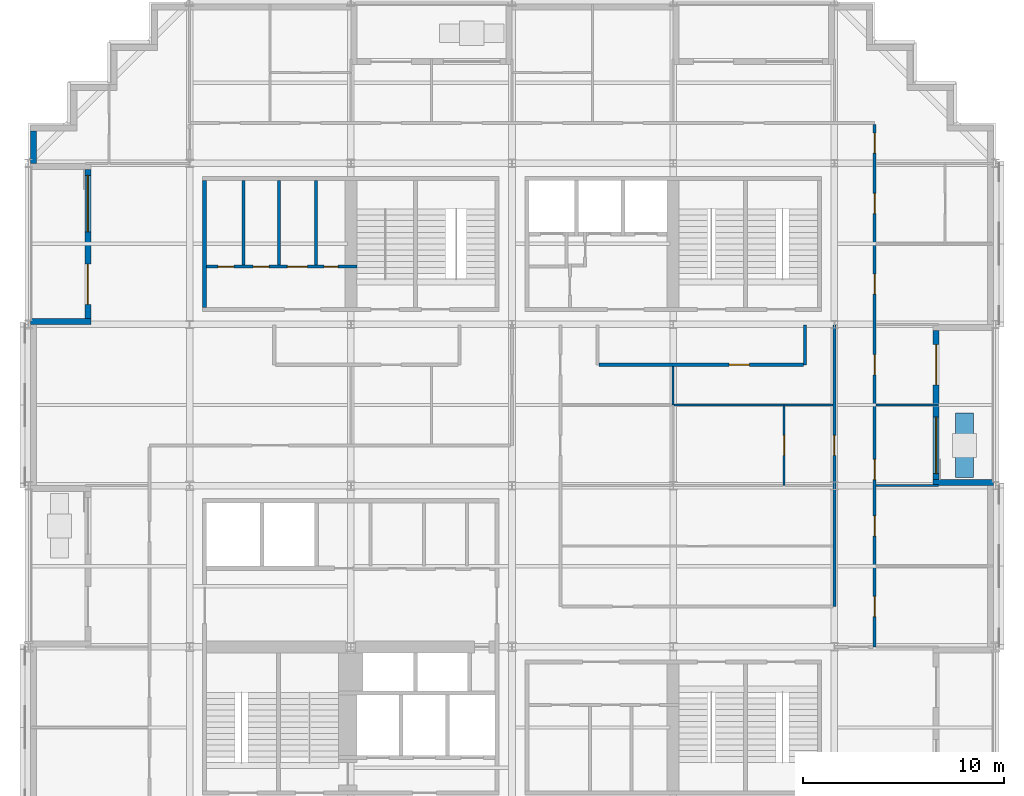
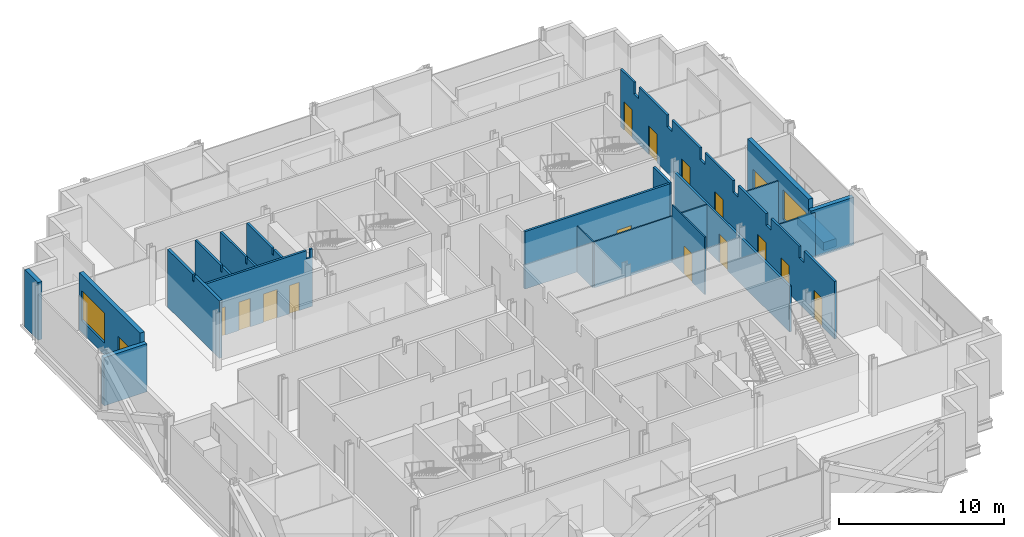
# One storey, part 8 of 15: 21 walls, 16 doors, 2 windows, 18 openings.
"""IFC4 building model written with IfcOpenShell, lengths in metres."""

from ifc_helpers import new_model, si_unit, direction, frame, frame_2d, origin, place, context, subcontext, project, spatial, polyline, rectangle, outline, extrude, material, layer, layer_set, type_object, element, fill, save


model = new_model("IFC4")

# Units and contexts
model_context = context("Model", 3, precision=1e-05, world=origin(), true_north=direction((0.0, 1.0)))
body_context = subcontext(model_context, "Body", "Model", "MODEL_VIEW")
ifc_project = project(units=[si_unit("LENGTHUNIT", "METRE"), si_unit("AREAUNIT", "SQUARE_METRE"), si_unit("VOLUMEUNIT", "CUBIC_METRE"), si_unit("PLANEANGLEUNIT", "RADIAN"), si_unit("MASSUNIT", "GRAM", prefix="KILO")], contexts=[model_context])

# Site, building, storey
site_placement = place(None, origin())
site = spatial("IfcSite", under=ifc_project, at=site_placement, CompositionType="ELEMENT")
building_placement = place(site_placement, origin())
building = spatial("IfcBuilding", under=site, at=building_placement, Name="Immortelle Media Tower", CompositionType="ELEMENT")
storey_placement = place(building_placement, frame((0.0, 0.0, 61.199951171875)))
storey = spatial("IfcBuildingStorey", under=building, at=storey_placement, Name="L10", CompositionType="ELEMENT", Elevation=61.199951171875)

# Wall, openings, doors
ifc_material_1 = material(Name="Fire-rated gypsum board", Category="gypsum")
ifc_layer_1 = layer(ifc_material_1, 0.02490234375)
ifc_material_2 = material(Name="Steel ASTM A653 SS Gr 50 stud frame with mineral wool", Category="steel")
ifc_layer_2 = layer(ifc_material_2, 0.10009765625)
ifc_layer_3 = layer(ifc_material_1, 0.02490234375)
ifc_layer_set_1 = layer_set([ifc_layer_1, ifc_layer_2, ifc_layer_3], Name="Steel ASTM A653 SS Gr 50 stud frame with mineral wool")
wall_type_1 = type_object("IfcWallType", Name="Core partition 150", PredefinedType="PARTITIONING", material=ifc_layer_set_1)
wall_1_placement = place(storey_placement, frame((8.85009765625, 34.875, 0.0), z_axis=(0.0, 0.0, 1.0), x_axis=(1.0, 0.0, 0.0)))
wall_1 = element("IfcWall", 1, at=wall_1_placement, inside=storey, type_object=wall_type_1, Name="Core partition NW", PredefinedType="PARTITIONING", context=body_context, shape_type="SweptSolid", body=[
    extrude(outline(polyline([(0.0, 0.0), (7.449951171875, 0.0), (7.449951171875, 4.25), (7.26953125, 4.25), (7.2685546875, 3.632080078125), (7.031494140625, 3.632080078125), (7.030517578125, 4.25), (0.0, 4.25), (0.0, 0.0)])), frame((0.0, 0.074951171875, 0.0), z_axis=(0.0, -1.0, 0.0), x_axis=(1.0, 0.0, 0.0)), (0.0, 0.0, 1.0), 0.14990234375),
])
opening_1_placement = place(wall_1_placement, frame((0.550048828125, 0.0, 0.0)))
opening_1 = element("IfcOpeningElement", 2, at=opening_1_placement, cuts=wall_1, Name="Opening N3-K021", PredefinedType="OPENING", context=body_context, shape_type="SweptSolid", body=[
    extrude(rectangle(XDim=0.800048828125, YDim=2.10009765625, at=frame_2d((0.39990234375, 1.050048828125))), frame((0.0, 0.0849609375, 0.0), z_axis=(0.0, -1.0, 0.0), x_axis=(1.0, 0.0, 0.0)), (0.0, 0.0, 1.0), 0.169921875),
])
opening_2_placement = place(wall_1_placement, frame((2.300048828125, 0.0, 0.0)))
opening_2 = element("IfcOpeningElement", 3, at=opening_2_placement, cuts=wall_1, Name="Opening N3-K022", PredefinedType="OPENING", context=body_context, shape_type="SweptSolid", body=[
    extrude(rectangle(XDim=0.800048828125, YDim=2.10009765625, at=frame_2d((0.39990234375, 1.050048828125))), frame((0.0, 0.0849609375, 0.0), z_axis=(0.0, -1.0, 0.0), x_axis=(1.0, 0.0, 0.0)), (0.0, 0.0, 1.0), 0.169921875),
])
opening_3_placement = place(wall_1_placement, frame((4.0, 0.0, 0.0)))
opening_3 = element("IfcOpeningElement", 4, at=opening_3_placement, cuts=wall_1, Name="Opening N3-K023", PredefinedType="OPENING", context=body_context, shape_type="SweptSolid", body=[
    extrude(rectangle(XDim=1.0, YDim=2.10009765625, at=frame_2d((0.5, 1.050048828125))), frame((0.0, 0.0849609375, 0.0), z_axis=(0.0, -1.0, 0.0), x_axis=(1.0, 0.0, 0.0)), (0.0, 0.0, 1.0), 0.169921875),
])
opening_4_placement = place(wall_1_placement, frame((5.824951171875, 0.0, 0.0)))
opening_4 = element("IfcOpeningElement", 5, at=opening_4_placement, cuts=wall_1, Name="Opening N3-K025", PredefinedType="OPENING", context=body_context, shape_type="SweptSolid", body=[
    extrude(rectangle(XDim=0.699951171875, YDim=2.10009765625, at=frame_2d((0.35009765625, 1.050048828125))), frame((0.0, 0.0849609375, 0.0), z_axis=(0.0, -1.0, 0.0), x_axis=(1.0, 0.0, 0.0)), (0.0, 0.0, 1.0), 0.169921875),
])
ifc_material_3 = material(Name="Timber", Category="wood")
door_type_1 = type_object("IfcDoorType", Name="Accessible toilet door 1000 x 2100", OperationType="NOTDEFINED", PredefinedType="NOTDEFINED", material=ifc_material_3)
door_1_placement = place(opening_3_placement, origin())
door_1 = element("IfcDoor", 6, at=door_1_placement, inside=storey, type_object=door_type_1, Name="Accessible toilet N3-K023", OperationType="SINGLE_SWING_LEFT", OverallHeight=2.10009765625, OverallWidth=1.0, PredefinedType="NOTDEFINED", context=body_context, shape_type="SweptSolid", body=[
    extrude(rectangle(XDim=1.0, YDim=2.10009765625, at=frame_2d((0.5, 1.050048828125))), frame((0.0, 0.02490234375, 0.0), z_axis=(0.0, -1.0, 0.0), x_axis=(1.0, 0.0, 0.0)), (0.0, 0.0, 1.0), 0.050048828125),
])
fill(opening_3, door_1)
ifc_material_4 = material(Name="Galvanised steel door leaf and frame ASTM A653", Category="steel")
door_type_2 = type_object("IfcDoorType", Name="Service door 700 x 2100", OperationType="NOTDEFINED", PredefinedType="NOTDEFINED", material=ifc_material_4)
door_2_placement = place(opening_4_placement, origin())
door_2 = element("IfcDoor", 7, at=door_2_placement, inside=storey, type_object=door_type_2, Name="Service N3-K025", OperationType="SINGLE_SWING_RIGHT", OverallHeight=2.10009765625, OverallWidth=0.699951171875, PredefinedType="NOTDEFINED", context=body_context, shape_type="SweptSolid", body=[
    extrude(rectangle(XDim=0.699951171875, YDim=2.10009765625, at=frame_2d((0.35009765625, 1.050048828125))), frame((0.0, 0.02490234375, 0.0), z_axis=(0.0, -1.0, 0.0), x_axis=(1.0, 0.0, 0.0)), (0.0, 0.0, 1.0), 0.050048828125),
])
fill(opening_4, door_2)
door_type_3 = type_object("IfcDoorType", Name="Toilet door 800 x 2100", OperationType="NOTDEFINED", PredefinedType="NOTDEFINED", material=ifc_material_3)
door_3_placement = place(opening_1_placement, origin())
door_3 = element("IfcDoor", 8, at=door_3_placement, inside=storey, type_object=door_type_3, Name="Toilet N3-K021", OperationType="SINGLE_SWING_LEFT", OverallHeight=2.10009765625, OverallWidth=0.800048828125, PredefinedType="NOTDEFINED", context=body_context, shape_type="SweptSolid", body=[
    extrude(rectangle(XDim=0.800048828125, YDim=2.10009765625, at=frame_2d((0.39990234375, 1.050048828125))), frame((0.0, 0.02490234375, 0.0), z_axis=(0.0, -1.0, 0.0), x_axis=(1.0, 0.0, 0.0)), (0.0, 0.0, 1.0), 0.050048828125),
])
fill(opening_1, door_3)
door_4_placement = place(opening_2_placement, origin())
door_4 = element("IfcDoor", 9, at=door_4_placement, inside=storey, type_object=door_type_3, Name="Toilet N3-K022", OperationType="SINGLE_SWING_RIGHT", OverallHeight=2.10009765625, OverallWidth=0.800048828125, PredefinedType="NOTDEFINED", context=body_context, shape_type="SweptSolid", body=[
    extrude(rectangle(XDim=0.800048828125, YDim=2.10009765625, at=frame_2d((0.39990234375, 1.050048828125))), frame((0.0, 0.02490234375, 0.0), z_axis=(0.0, -1.0, 0.0), x_axis=(1.0, 0.0, 0.0)), (0.0, 0.0, 1.0), 0.050048828125),
])
fill(opening_2, door_4)

# Walls
for number, where, z_axis, x_axis, name in (
    (10, (10.675048828125, 34.949951171875, 0.0), (0.0, 0.0, 1.0), (0.0, 1.0, 0.0), "Core partition NW"),
    (11, (12.425048828125, 34.949951171875, 0.0), (0.0, 0.0, 1.0), (0.0, 1.0, 0.0), "Core partition NW"),
    (12, (14.27490234375, 34.949951171875, 0.0), (0.0, 0.0, 1.0), (0.0, 1.0, 0.0), "Core partition NW"),
):
    element("IfcWall", number, at=place(storey_placement, frame(where, z_axis=z_axis, x_axis=x_axis)), inside=storey, type_object=wall_type_1, Name=name, PredefinedType="PARTITIONING", context=body_context, shape_type="SweptSolid", body=[
        extrude(outline(polyline([(0.0, 0.0), (4.199951171875, 0.0), (4.199951171875, 4.25), (1.131591796875, 4.25), (1.130615234375, 3.7890625), (0.969482421875, 3.7890625), (0.968505859375, 4.25), (0.0, 4.25), (0.0, 0.0)])), frame((0.0, 0.074951171875, 0.0), z_axis=(0.0, -1.0, 0.0), x_axis=(1.0, 0.0, 0.0)), (0.0, 0.0, 1.0), 0.14990234375),
    ])
ifc_layer_4 = layer(ifc_material_1, 0.03759765625)
ifc_layer_5 = layer(ifc_material_2, 0.125)
ifc_layer_6 = layer(ifc_material_1, 0.03759765625)
ifc_layer_set_2 = layer_set([ifc_layer_4, ifc_layer_5, ifc_layer_6], Name="Steel ASTM A653 SS Gr 50 stud frame with mineral wool")
wall_type_2 = type_object("IfcWallType", Name="Core shaft wall 200", PredefinedType="PARTITIONING", material=ifc_layer_set_2)
wall_2_placement = place(storey_placement, frame((8.75, 32.85009765625, 0.0), z_axis=(0.0, 0.0, 1.0), x_axis=(0.0, 1.0, 0.0)))
element("IfcWall", 13, at=wall_2_placement, inside=storey, type_object=wall_type_2, Name="Core shaft wall NW", PredefinedType="PARTITIONING", context=body_context, shape_type="SweptSolid", body=[
    extrude(outline(polyline([(0.0, 0.0), (6.2998046875, 0.0), (6.300048828125, 4.25), (3.2314453125, 4.25), (3.23046875, 3.7890625), (3.069580078125, 3.7890625), (3.068603515625, 4.25), (0.0, 4.25), (0.0, 0.0)])), frame((0.0, 0.10009765625, 0.0), z_axis=(0.0, -1.0, 0.0), x_axis=(1.0, 0.0, 0.0)), (0.0, 0.0, 1.0), 0.199951171875),
])

# Wall, openings, doors
ifc_layer_7 = layer(ifc_material_1, 0.012451171875)
ifc_layer_8 = layer(ifc_material_2, 0.125)
ifc_layer_9 = layer(ifc_material_1, 0.012451171875)
ifc_layer_set_3 = layer_set([ifc_layer_7, ifc_layer_8, ifc_layer_9], Name="Steel ASTM A653 SS Gr 50 stud frame with mineral wool")
wall_type_3 = type_object("IfcWallType", Name="Corridor wall 150", PredefinedType="PARTITIONING", material=ifc_layer_set_3)
wall_3_placement = place(storey_placement, frame((42.0, 16.0, 0.0), z_axis=(0.0, 0.0, 1.0), x_axis=(0.0, 1.0, 0.0)))
wall_3 = element("IfcWall", 14, at=wall_3_placement, inside=storey, type_object=wall_type_3, Name="Partition L10-017", PredefinedType="PARTITIONING", context=body_context, shape_type="SweptSolid", body=[
    extrude(outline(polyline([(0.0, 0.0), (25.925048828125, 0.0), (25.925048828125, 4.25), (24.300048828125, 4.25), (24.298095703125, 3.39111328125), (23.701904296875, 3.39111328125), (23.699951171875, 4.25), (20.300048828125, 4.25), (20.298095703125, 3.39111328125), (19.701904296875, 3.39111328125), (19.699951171875, 4.25), (16.300048828125, 4.25), (16.298095703125, 3.39111328125), (15.701904296875, 3.39111328125), (15.699951171875, 4.25), (12.300048828125, 4.25), (12.298095703125, 3.39111328125), (11.701904296875, 3.39111328125), (11.699951171875, 4.25), (8.300048828125, 4.25), (8.298095703125, 3.39111328125), (7.701904296875, 3.39111328125), (7.699951171875, 4.25), (4.300048828125, 4.25), (4.298095703125, 3.39111328125), (3.701904296875, 3.39111328125), (3.699951171875, 4.25), (0.0, 4.25), (0.0, 0.0)])), frame((0.0, 0.074951171875, 0.0), z_axis=(0.0, -1.0, 0.0), x_axis=(1.0, 0.0, 0.0)), (0.0, 0.0, 1.0), 0.14990234375),
])
opening_5_placement = place(wall_3_placement, frame((2.5, 0.0, 0.0), z_axis=(0.0, 0.0, 1.0), x_axis=(-1.0, 0.0, 0.0)))
opening_5 = element("IfcOpeningElement", 15, at=opening_5_placement, cuts=wall_3, Name="Opening N3-F012", PredefinedType="OPENING", context=body_context, shape_type="SweptSolid", body=[
    extrude(rectangle(XDim=1.0, YDim=2.10009765625, at=frame_2d((0.5, 1.050048828125))), frame((0.0, 0.0849609375, 0.0), z_axis=(0.0, -1.0, 0.0), x_axis=(1.0, 0.0, 0.0)), (0.0, 0.0, 1.0), 0.169921875),
])
opening_6_placement = place(wall_3_placement, frame((6.5, 0.0, 0.0), z_axis=(0.0, 0.0, 1.0), x_axis=(-1.0, 0.0, 0.0)))
opening_6 = element("IfcOpeningElement", 16, at=opening_6_placement, cuts=wall_3, Name="Opening N3-F013", PredefinedType="OPENING", context=body_context, shape_type="SweptSolid", body=[
    extrude(rectangle(XDim=1.0, YDim=2.10009765625, at=frame_2d((0.5, 1.050048828125))), frame((0.0, 0.0849609375, 0.0), z_axis=(0.0, -1.0, 0.0), x_axis=(1.0, 0.0, 0.0)), (0.0, 0.0, 1.0), 0.169921875),
])
opening_7_placement = place(wall_3_placement, frame((9.300048828125, 0.0, 0.0), z_axis=(0.0, 0.0, 1.0), x_axis=(-1.0, 0.0, 0.0)))
opening_7 = element("IfcOpeningElement", 17, at=opening_7_placement, cuts=wall_3, Name="Opening N3-F021", PredefinedType="OPENING", context=body_context, shape_type="SweptSolid", body=[
    extrude(rectangle(XDim=1.0, YDim=2.10009765625, at=frame_2d((0.5, 1.050048828125))), frame((0.0, 0.0849609375, 0.0), z_axis=(0.0, -1.0, 0.0), x_axis=(1.0, 0.0, 0.0)), (0.0, 0.0, 1.0), 0.169921875),
])
opening_8_placement = place(wall_3_placement, frame((14.5, 0.0, 0.0), z_axis=(0.0, 0.0, 1.0), x_axis=(-1.0, 0.0, 0.0)))
opening_8 = element("IfcOpeningElement", 18, at=opening_8_placement, cuts=wall_3, Name="Opening N3-F022", PredefinedType="OPENING", context=body_context, shape_type="SweptSolid", body=[
    extrude(rectangle(XDim=1.0, YDim=2.10009765625, at=frame_2d((0.5, 1.050048828125))), frame((0.0, 0.0849609375, 0.0), z_axis=(0.0, -1.0, 0.0), x_axis=(1.0, 0.0, 0.0)), (0.0, 0.0, 1.0), 0.169921875),
])
opening_9_placement = place(wall_3_placement, frame((18.5, 0.0, 0.0), z_axis=(0.0, 0.0, 1.0), x_axis=(-1.0, 0.0, 0.0)))
opening_9 = element("IfcOpeningElement", 19, at=opening_9_placement, cuts=wall_3, Name="Opening N3-F026", PredefinedType="OPENING", context=body_context, shape_type="SweptSolid", body=[
    extrude(rectangle(XDim=1.0, YDim=2.10009765625, at=frame_2d((0.5, 1.050048828125))), frame((0.0, 0.0849609375, 0.0), z_axis=(0.0, -1.0, 0.0), x_axis=(1.0, 0.0, 0.0)), (0.0, 0.0, 1.0), 0.169921875),
])
opening_10_placement = place(wall_3_placement, frame((22.5, 0.0, 0.0), z_axis=(0.0, 0.0, 1.0), x_axis=(-1.0, 0.0, 0.0)))
opening_10 = element("IfcOpeningElement", 20, at=opening_10_placement, cuts=wall_3, Name="Opening N3-F027", PredefinedType="OPENING", context=body_context, shape_type="SweptSolid", body=[
    extrude(rectangle(XDim=1.0, YDim=2.10009765625, at=frame_2d((0.5, 1.050048828125))), frame((0.0, 0.0849609375, 0.0), z_axis=(0.0, -1.0, 0.0), x_axis=(1.0, 0.0, 0.0)), (0.0, 0.0, 1.0), 0.169921875),
])
opening_11_placement = place(wall_3_placement, frame((25.5, 0.0, 0.0), z_axis=(0.0, 0.0, 1.0), x_axis=(-1.0, 0.0, 0.0)))
opening_11 = element("IfcOpeningElement", 21, at=opening_11_placement, cuts=wall_3, Name="Opening N3-F031", PredefinedType="OPENING", context=body_context, shape_type="SweptSolid", body=[
    extrude(rectangle(XDim=1.0, YDim=2.10009765625, at=frame_2d((0.5, 1.050048828125))), frame((0.0, 0.0849609375, 0.0), z_axis=(0.0, -1.0, 0.0), x_axis=(1.0, 0.0, 0.0)), (0.0, 0.0, 1.0), 0.169921875),
])
ifc_material_5 = material(Name="Timber veneered door leaf, galvanised steel frame ASTM A653", Category="steel")
door_type_4 = type_object("IfcDoorType", Name="Room door 1000 x 2100", OperationType="NOTDEFINED", PredefinedType="DOOR", material=ifc_material_5)
door_5_placement = place(opening_5_placement, origin())
door_5 = element("IfcDoor", 22, at=door_5_placement, inside=storey, type_object=door_type_4, Name="Door N3-F012", OperationType="SINGLE_SWING_LEFT", OverallHeight=2.10009765625, OverallWidth=1.0, PredefinedType="DOOR", context=body_context, shape_type="SweptSolid", body=[
    extrude(rectangle(XDim=1.0, YDim=2.10009765625, at=frame_2d((0.5, 1.050048828125))), frame((0.0, 0.02490234375, 0.0), z_axis=(0.0, -1.0, 0.0), x_axis=(1.0, 0.0, 0.0)), (0.0, 0.0, 1.0), 0.050048828125),
])
fill(opening_5, door_5)
door_6_placement = place(opening_6_placement, origin())
door_6 = element("IfcDoor", 23, at=door_6_placement, inside=storey, type_object=door_type_4, Name="Door N3-F013", OperationType="SINGLE_SWING_LEFT", OverallHeight=2.10009765625, OverallWidth=1.0, PredefinedType="DOOR", context=body_context, shape_type="SweptSolid", body=[
    extrude(rectangle(XDim=1.0, YDim=2.10009765625, at=frame_2d((0.5, 1.050048828125))), frame((0.0, 0.02490234375, 0.0), z_axis=(0.0, -1.0, 0.0), x_axis=(1.0, 0.0, 0.0)), (0.0, 0.0, 1.0), 0.050048828125),
])
fill(opening_6, door_6)
door_7_placement = place(opening_7_placement, origin())
door_7 = element("IfcDoor", 24, at=door_7_placement, inside=storey, type_object=door_type_4, Name="Door N3-F021", OperationType="SINGLE_SWING_RIGHT", OverallHeight=2.10009765625, OverallWidth=1.0, PredefinedType="DOOR", context=body_context, shape_type="SweptSolid", body=[
    extrude(rectangle(XDim=1.0, YDim=2.10009765625, at=frame_2d((0.5, 1.050048828125))), frame((0.0, 0.02490234375, 0.0), z_axis=(0.0, -1.0, 0.0), x_axis=(1.0, 0.0, 0.0)), (0.0, 0.0, 1.0), 0.050048828125),
])
fill(opening_7, door_7)
door_8_placement = place(opening_8_placement, origin())
door_8 = element("IfcDoor", 25, at=door_8_placement, inside=storey, type_object=door_type_4, Name="Door N3-F022", OperationType="SINGLE_SWING_RIGHT", OverallHeight=2.10009765625, OverallWidth=1.0, PredefinedType="DOOR", context=body_context, shape_type="SweptSolid", body=[
    extrude(rectangle(XDim=1.0, YDim=2.10009765625, at=frame_2d((0.5, 1.050048828125))), frame((0.0, 0.02490234375, 0.0), z_axis=(0.0, -1.0, 0.0), x_axis=(1.0, 0.0, 0.0)), (0.0, 0.0, 1.0), 0.050048828125),
])
fill(opening_8, door_8)
door_9_placement = place(opening_9_placement, origin())
door_9 = element("IfcDoor", 26, at=door_9_placement, inside=storey, type_object=door_type_4, Name="Door N3-F026", OperationType="SINGLE_SWING_LEFT", OverallHeight=2.10009765625, OverallWidth=1.0, PredefinedType="DOOR", context=body_context, shape_type="SweptSolid", body=[
    extrude(rectangle(XDim=1.0, YDim=2.10009765625, at=frame_2d((0.5, 1.050048828125))), frame((0.0, 0.02490234375, 0.0), z_axis=(0.0, -1.0, 0.0), x_axis=(1.0, 0.0, 0.0)), (0.0, 0.0, 1.0), 0.050048828125),
])
fill(opening_9, door_9)
door_10_placement = place(opening_10_placement, origin())
door_10 = element("IfcDoor", 27, at=door_10_placement, inside=storey, type_object=door_type_4, Name="Door N3-F027", OperationType="SINGLE_SWING_RIGHT", OverallHeight=2.10009765625, OverallWidth=1.0, PredefinedType="DOOR", context=body_context, shape_type="SweptSolid", body=[
    extrude(rectangle(XDim=1.0, YDim=2.10009765625, at=frame_2d((0.5, 1.050048828125))), frame((0.0, 0.02490234375, 0.0), z_axis=(0.0, -1.0, 0.0), x_axis=(1.0, 0.0, 0.0)), (0.0, 0.0, 1.0), 0.050048828125),
])
fill(opening_10, door_10)
door_11_placement = place(opening_11_placement, origin())
door_11 = element("IfcDoor", 28, at=door_11_placement, inside=storey, type_object=door_type_4, Name="Door N3-F031", OperationType="SINGLE_SWING_RIGHT", OverallHeight=2.10009765625, OverallWidth=1.0, PredefinedType="DOOR", context=body_context, shape_type="SweptSolid", body=[
    extrude(rectangle(XDim=1.0, YDim=2.10009765625, at=frame_2d((0.5, 1.050048828125))), frame((0.0, 0.02490234375, 0.0), z_axis=(0.0, -1.0, 0.0), x_axis=(1.0, 0.0, 0.0)), (0.0, 0.0, 1.0), 0.050048828125),
])
fill(opening_11, door_11)

# Wall, opening, door
wall_4_placement = place(storey_placement, frame((40.0, 18.0, 0.0), z_axis=(0.0, 0.0, 1.0), x_axis=(0.0, 1.0, 0.0)))
wall_4 = element("IfcWall", 29, at=wall_4_placement, inside=storey, type_object=wall_type_3, Name="Partition L10-020", PredefinedType="PARTITIONING", context=body_context, shape_type="SweptSolid", body=[
    extrude(rectangle(XDim=13.969970703125, YDim=0.14990234375, at=frame_2d((6.98486328125, 0.0))), origin(), (0.0, 0.0, 1.0), 3.39111328125),
])
opening_12_placement = place(wall_4_placement, frame((7.5, 0.0, 0.0)))
opening_12 = element("IfcOpeningElement", 30, at=opening_12_placement, cuts=wall_4, Name="Opening N3-F016", PredefinedType="OPENING", context=body_context, shape_type="SweptSolid", body=[
    extrude(rectangle(XDim=1.0, YDim=2.10009765625, at=frame_2d((0.5, 1.050048828125))), frame((0.0, 0.0849609375, 0.0), z_axis=(0.0, -1.0, 0.0), x_axis=(1.0, 0.0, 0.0)), (0.0, 0.0, 1.0), 0.169921875),
])
door_12_placement = place(opening_12_placement, origin())
door_12 = element("IfcDoor", 31, at=door_12_placement, inside=storey, type_object=door_type_4, Name="Door N3-F016", OperationType="SINGLE_SWING_RIGHT", OverallHeight=2.10009765625, OverallWidth=1.0, PredefinedType="DOOR", context=body_context, shape_type="SweptSolid", body=[
    extrude(rectangle(XDim=1.0, YDim=2.10009765625, at=frame_2d((0.5, 1.050048828125))), frame((0.0, 0.02490234375, 0.0), z_axis=(0.0, -1.0, 0.0), x_axis=(1.0, 0.0, 0.0)), (0.0, 0.0, 1.0), 0.050048828125),
])
fill(opening_12, door_12)

wall_5_placement = place(storey_placement, frame((28.324951171875, 30.0, 0.0), z_axis=(0.0, 0.0, 1.0), x_axis=(1.0, 0.0, 0.0)))
wall_5 = element("IfcWall", 32, at=wall_5_placement, inside=storey, type_object=wall_type_3, Name="Partition L10-042", PredefinedType="PARTITIONING", context=body_context, shape_type="SweptSolid", body=[
    extrude(rectangle(XDim=10.150146484375, YDim=0.14990234375, at=frame_2d((5.0751953125, 0.0))), origin(), (0.0, 0.0, 1.0), 4.25),
])
opening_13_placement = place(wall_5_placement, frame((7.449951171875, 0.0, 0.0), z_axis=(0.0, 0.0, 1.0), x_axis=(-1.0, 0.0, 0.0)))
opening_13 = element("IfcOpeningElement", 33, at=opening_13_placement, cuts=wall_5, Name="Opening N3-F018", PredefinedType="OPENING", context=body_context, shape_type="SweptSolid", body=[
    extrude(rectangle(XDim=1.0, YDim=2.10009765625, at=frame_2d((0.5, 1.050048828125))), frame((0.0, 0.0849609375, 0.0), z_axis=(0.0, -1.0, 0.0), x_axis=(1.0, 0.0, 0.0)), (0.0, 0.0, 1.0), 0.169921875),
])
door_13_placement = place(opening_13_placement, origin())
door_13 = element("IfcDoor", 34, at=door_13_placement, inside=storey, type_object=door_type_4, Name="Door N3-F018", OperationType="SINGLE_SWING_RIGHT", OverallHeight=2.10009765625, OverallWidth=1.0, PredefinedType="DOOR", context=body_context, shape_type="SweptSolid", body=[
    extrude(rectangle(XDim=1.0, YDim=2.10009765625, at=frame_2d((0.5, 1.050048828125))), frame((0.0, 0.02490234375, 0.0), z_axis=(0.0, -1.0, 0.0), x_axis=(1.0, 0.0, 0.0)), (0.0, 0.0, 1.0), 0.050048828125),
])
fill(opening_13, door_13)

# Walls
wall_6_placement = place(storey_placement, frame((38.550048828125, 30.0, 0.0), z_axis=(0.0, 0.0, 1.0), x_axis=(0.0, 1.0, 0.0)))
element("IfcWall", 35, at=wall_6_placement, inside=storey, type_object=wall_type_3, Name="Partition L10-044", PredefinedType="PARTITIONING", context=body_context, shape_type="SweptSolid", body=[
    extrude(rectangle(XDim=1.969970703125, YDim=0.14990234375, at=frame_2d((0.98486328125, 0.0))), origin(), (0.0, 0.0, 1.0), 4.25),
])
ifc_material_6 = material(Name="Pale aluminium cladding panel", Category="aluminium")
ifc_layer_10 = layer(ifc_material_6, 0.030029296875)
ifc_layer_11 = layer(ifc_material_2, 0.257568359375)
ifc_material_7 = material(Name="Moisture-resistant gypsum board", Category="gypsum")
ifc_layer_12 = layer(ifc_material_7, 0.012451171875)
ifc_layer_set_4 = layer_set([ifc_layer_10, ifc_layer_11, ifc_layer_12], Name="Steel ASTM A653 SS Gr 50 stud frame with mineral wool")
wall_type_4 = type_object("IfcWallType", Name="Facade wall 300", PredefinedType="SOLIDWALL", material=ifc_layer_set_4)
wall_7_placement = place(storey_placement, frame((0.25, 41.60009765625, 0.0), z_axis=(0.0, 0.0, 1.0), x_axis=(0.0, -1.0, 0.0)))
element("IfcWall", 36, at=wall_7_placement, inside=storey, type_object=wall_type_4, Name="Facade wall L10 W0", PredefinedType="SOLIDWALL", context=body_context, shape_type="SweptSolid", body=[
    extrude(rectangle(XDim=1.60009765625, YDim=0.300048828125, at=frame_2d((0.800048828125, 0.0))), origin(), (0.0, 0.0, 1.0), 4.25),
])

# Wall, openings, door, window
wall_8_placement = place(storey_placement, frame((2.949951171875, 39.699951171875, 0.0), z_axis=(0.0, 0.0, 1.0), x_axis=(0.0, -1.0, 0.0)))
wall_8 = element("IfcWall", 37, at=wall_8_placement, inside=storey, type_object=wall_type_4, Name="Loggia wall L10 W0", PredefinedType="SOLIDWALL", context=body_context, shape_type="SweptSolid", body=[
    extrude(rectangle(XDim=7.39990234375, YDim=0.300048828125, at=frame_2d((3.699951171875, 0.0))), origin(), (0.0, 0.0, 1.0), 4.25),
])
opening_14_placement = place(wall_8_placement, frame((0.300048828125, 0.0, 0.89990234375)))
opening_14 = element("IfcOpeningElement", 38, at=opening_14_placement, cuts=wall_8, Name="Opening W1", PredefinedType="OPENING", context=body_context, shape_type="SweptSolid", body=[
    extrude(rectangle(XDim=2.800048828125, YDim=2.199951171875, at=frame_2d((1.39990234375, 1.10009765625))), frame((0.0, 0.159912109375, 0.0), z_axis=(0.0, -1.0, 0.0), x_axis=(1.0, 0.0, 0.0)), (0.0, 0.0, 1.0), 0.320068359375),
])
opening_15_placement = place(wall_8_placement, frame((4.699951171875, 0.0, 0.0)))
opening_15 = element("IfcOpeningElement", 39, at=opening_15_placement, cuts=wall_8, Name="Opening N3-E001", PredefinedType="OPENING", context=body_context, shape_type="SweptSolid", body=[
    extrude(rectangle(XDim=2.0, YDim=2.39990234375, at=frame_2d((1.0, 1.199951171875))), frame((0.0, 0.159912109375, 0.0), z_axis=(0.0, -1.0, 0.0), x_axis=(1.0, 0.0, 0.0)), (0.0, 0.0, 1.0), 0.320068359375),
])
ifc_material_8 = material(Name="Aluminium frame, glazed leaves", Category="aluminium")
door_type_5 = type_object("IfcDoorType", Name="Loggia door 2000 x 2400", OperationType="DOUBLE_DOOR_SINGLE_SWING", PredefinedType="DOOR", material=ifc_material_8)
door_14_placement = place(opening_15_placement, origin())
door_14 = element("IfcDoor", 40, at=door_14_placement, inside=storey, type_object=door_type_5, Name="Door N3-E001", OperationType="DOUBLE_DOOR_SINGLE_SWING", OverallHeight=2.39990234375, OverallWidth=2.0, PredefinedType="DOOR", context=body_context, shape_type="SweptSolid", body=[
    extrude(rectangle(XDim=2.0, YDim=2.39990234375, at=frame_2d((1.0, 1.199951171875))), frame((0.0, 0.02490234375, 0.0), z_axis=(0.0, -1.0, 0.0), x_axis=(1.0, 0.0, 0.0)), (0.0, 0.0, 1.0), 0.050048828125),
])
fill(opening_15, door_14)
ifc_material_9 = material(Name="Aluminium frame", Category="aluminium")
window_type = type_object("IfcWindowType", Name="Window 2800 x 2200", PartitioningType="SINGLE_PANEL", PredefinedType="WINDOW", material=ifc_material_9)
window_1_placement = place(opening_14_placement, origin())
window_1 = element("IfcWindow", 41, at=window_1_placement, inside=storey, type_object=window_type, Name="Window L10 L10-R0-B0", OverallHeight=2.199951171875, OverallWidth=2.800048828125, PartitioningType="SINGLE_PANEL", PredefinedType="WINDOW", context=body_context, shape_type="SweptSolid", body=[
    extrude(rectangle(XDim=2.800048828125, YDim=2.199951171875, at=frame_2d((1.39990234375, 1.10009765625))), frame((0.0, 0.030029296875, 0.0), z_axis=(0.0, -1.0, 0.0), x_axis=(1.0, 0.0, 0.0)), (0.0, 0.0, 1.0), 0.06005859375),
])
fill(opening_14, window_1)

# Wall
wall_9_placement = place(storey_placement, frame((0.10009765625, 32.14990234375, 0.0), z_axis=(0.0, 0.0, 1.0), x_axis=(1.0, 0.0, 0.0)))
element("IfcWall", 42, at=wall_9_placement, inside=storey, type_object=wall_type_4, Name="Loggia cheek wall L10 W", PredefinedType="SOLIDWALL", context=body_context, shape_type="SweptSolid", body=[
    extrude(rectangle(XDim=3.0, YDim=0.300048828125, at=frame_2d((1.5, 0.0))), origin(), (0.0, 0.0, 1.0), 3.55615234375),
])

# Wall, openings, door, window
wall_10_placement = place(storey_placement, frame((45.050048828125, 24.300048828125, 0.0), z_axis=(0.0, 0.0, 1.0), x_axis=(0.0, 1.0, 0.0)))
wall_10 = element("IfcWall", 43, at=wall_10_placement, inside=storey, type_object=wall_type_4, Name="Loggia wall L10 E14", PredefinedType="SOLIDWALL", context=body_context, shape_type="SweptSolid", body=[
    extrude(rectangle(XDim=7.39990234375, YDim=0.300048828125, at=frame_2d((3.699951171875, 0.0))), origin(), (0.0, 0.0, 1.0), 4.25),
])
opening_16_placement = place(wall_10_placement, frame((0.300048828125, 0.0, 0.89990234375)))
opening_16 = element("IfcOpeningElement", 44, at=opening_16_placement, cuts=wall_10, Name="Opening W1", PredefinedType="OPENING", context=body_context, shape_type="SweptSolid", body=[
    extrude(rectangle(XDim=2.800048828125, YDim=2.199951171875, at=frame_2d((1.39990234375, 1.10009765625))), frame((0.0, 0.159912109375, 0.0), z_axis=(0.0, -1.0, 0.0), x_axis=(1.0, 0.0, 0.0)), (0.0, 0.0, 1.0), 0.320068359375),
])
opening_17_placement = place(wall_10_placement, frame((4.699951171875, 0.0, 0.0)))
opening_17 = element("IfcOpeningElement", 45, at=opening_17_placement, cuts=wall_10, Name="Opening N3-E006", PredefinedType="OPENING", context=body_context, shape_type="SweptSolid", body=[
    extrude(rectangle(XDim=2.0, YDim=2.39990234375, at=frame_2d((1.0, 1.199951171875))), frame((0.0, 0.159912109375, 0.0), z_axis=(0.0, -1.0, 0.0), x_axis=(1.0, 0.0, 0.0)), (0.0, 0.0, 1.0), 0.320068359375),
])
door_15_placement = place(opening_17_placement, origin())
door_15 = element("IfcDoor", 46, at=door_15_placement, inside=storey, type_object=door_type_5, Name="Door N3-E006", OperationType="DOUBLE_DOOR_SINGLE_SWING", OverallHeight=2.39990234375, OverallWidth=2.0, PredefinedType="DOOR", context=body_context, shape_type="SweptSolid", body=[
    extrude(rectangle(XDim=2.0, YDim=2.39990234375, at=frame_2d((1.0, 1.199951171875))), frame((0.0, 0.02490234375, 0.0), z_axis=(0.0, -1.0, 0.0), x_axis=(1.0, 0.0, 0.0)), (0.0, 0.0, 1.0), 0.050048828125),
])
fill(opening_17, door_15)
window_2_placement = place(opening_16_placement, origin())
window_2 = element("IfcWindow", 47, at=window_2_placement, inside=storey, type_object=window_type, Name="Window L10 L10-R14-B2", OverallHeight=2.199951171875, OverallWidth=2.800048828125, PartitioningType="SINGLE_PANEL", PredefinedType="WINDOW", context=body_context, shape_type="SweptSolid", body=[
    extrude(rectangle(XDim=2.800048828125, YDim=2.199951171875, at=frame_2d((1.39990234375, 1.10009765625))), frame((0.0, 0.030029296875, 0.0), z_axis=(0.0, -1.0, 0.0), x_axis=(1.0, 0.0, 0.0)), (0.0, 0.0, 1.0), 0.06005859375),
])
fill(opening_16, window_2)

# Wall
wall_11_placement = place(storey_placement, frame((47.89990234375, 24.14990234375, 0.0), z_axis=(0.0, 0.0, 1.0), x_axis=(-1.0, 0.0, 0.0)))
element("IfcWall", 48, at=wall_11_placement, inside=storey, type_object=wall_type_4, Name="Loggia cheek wall L10 E", PredefinedType="SOLIDWALL", context=body_context, shape_type="SweptSolid", body=[
    extrude(rectangle(XDim=3.0, YDim=0.300048828125, at=frame_2d((1.5, 0.0))), origin(), (0.0, 0.0, 1.0), 3.55615234375),
])

# Wall, opening, door
ifc_material_10 = material(Name="Gypsum board", Category="gypsum")
ifc_layer_13 = layer(ifc_material_10, 0.012451171875)
ifc_layer_14 = layer(ifc_material_2, 0.074951171875)
ifc_layer_15 = layer(ifc_material_10, 0.012451171875)
ifc_layer_set_5 = layer_set([ifc_layer_13, ifc_layer_14, ifc_layer_15], Name="Steel ASTM A653 SS Gr 50 stud frame with mineral wool")
wall_type_5 = type_object("IfcWallType", Name="Partition 100", PredefinedType="PARTITIONING", material=ifc_layer_set_5)
wall_12_placement = place(storey_placement, frame((37.5, 24.0, 0.0), z_axis=(0.0, 0.0, 1.0), x_axis=(0.0, 1.0, 0.0)))
wall_12 = element("IfcWall", 49, at=wall_12_placement, inside=storey, type_object=wall_type_5, Name="Partition L10-028", PredefinedType="PARTITIONING", context=body_context, shape_type="SweptSolid", body=[
    extrude(rectangle(XDim=3.949951171875, YDim=0.10009765625, at=frame_2d((1.97509765625, 0.0))), origin(), (0.0, 0.0, 1.0), 4.25),
])
opening_18_placement = place(wall_12_placement, frame((2.5, 0.0, 0.0), z_axis=(0.0, 0.0, 1.0), x_axis=(-1.0, 0.0, 0.0)))
opening_18 = element("IfcOpeningElement", 50, at=opening_18_placement, cuts=wall_12, Name="Opening N3-F017", PredefinedType="OPENING", context=body_context, shape_type="SweptSolid", body=[
    extrude(rectangle(XDim=1.0, YDim=2.10009765625, at=frame_2d((0.5, 1.050048828125))), frame((0.0, 0.06005859375, 0.0), z_axis=(0.0, -1.0, 0.0), x_axis=(1.0, 0.0, 0.0)), (0.0, 0.0, 1.0), 0.1201171875),
])
door_16_placement = place(opening_18_placement, origin())
door_16 = element("IfcDoor", 51, at=door_16_placement, inside=storey, type_object=door_type_4, Name="Door N3-F017", OperationType="SINGLE_SWING_LEFT", OverallHeight=2.10009765625, OverallWidth=1.0, PredefinedType="DOOR", context=body_context, shape_type="SweptSolid", body=[
    extrude(rectangle(XDim=1.0, YDim=2.10009765625, at=frame_2d((0.5, 1.050048828125))), frame((0.0, 0.02490234375, 0.0), z_axis=(0.0, -1.0, 0.0), x_axis=(1.0, 0.0, 0.0)), (0.0, 0.0, 1.0), 0.050048828125),
])
fill(opening_18, door_16)

# Walls
wall_13_placement = place(storey_placement, frame((42.074951171875, 24.0, 0.0), z_axis=(0.0, 0.0, 1.0), x_axis=(1.0, 0.0, 0.0)))
element("IfcWall", 52, at=wall_13_placement, inside=storey, type_object=wall_type_5, Name="Partition L10-029", PredefinedType="PARTITIONING", context=body_context, shape_type="SweptSolid", body=[
    extrude(rectangle(XDim=3.094970703125, YDim=0.10009765625, at=frame_2d((1.54736328125, 0.0))), origin(), (0.0, 0.0, 1.0), 3.39111328125),
])
wall_14_placement = place(storey_placement, frame((32.050048828125, 28.0, 0.0), z_axis=(0.0, 0.0, 1.0), x_axis=(1.0, 0.0, 0.0)))
element("IfcWall", 53, at=wall_14_placement, inside=storey, type_object=wall_type_5, Name="Partition L10-035", PredefinedType="PARTITIONING", context=body_context, shape_type="SweptSolid", body=[
    extrude(rectangle(XDim=5.449951171875, YDim=0.10009765625, at=frame_2d((2.72509765625, 0.0))), origin(), (0.0, 0.0, 1.0), 3.39111328125),
])
wall_15_placement = place(storey_placement, frame((32.0, 28.0, 0.0), z_axis=(0.0, 0.0, 1.0), x_axis=(0.0, 1.0, 0.0)))
element("IfcWall", 54, at=wall_15_placement, inside=storey, type_object=wall_type_5, Name="Partition L10-036", PredefinedType="PARTITIONING", context=body_context, shape_type="SweptSolid", body=[
    extrude(rectangle(XDim=1.925048828125, YDim=0.10009765625, at=frame_2d((0.96240234375, 0.0))), origin(), (0.0, 0.0, 1.0), 3.39111328125),
])
wall_16_placement = place(storey_placement, frame((37.5, 28.0, 0.0), z_axis=(0.0, 0.0, 1.0), x_axis=(1.0, 0.0, 0.0)))
element("IfcWall", 55, at=wall_16_placement, inside=storey, type_object=wall_type_5, Name="Partition L10-037", PredefinedType="PARTITIONING", context=body_context, shape_type="SweptSolid", body=[
    extrude(rectangle(XDim=2.425048828125, YDim=0.10009765625, at=frame_2d((1.21240234375, 0.0))), origin(), (0.0, 0.0, 1.0), 3.39111328125),
])
wall_17_placement = place(storey_placement, frame((42.074951171875, 28.0, 0.0), z_axis=(0.0, 0.0, 1.0), x_axis=(1.0, 0.0, 0.0)))
element("IfcWall", 56, at=wall_17_placement, inside=storey, type_object=wall_type_5, Name="Partition L10-038", PredefinedType="PARTITIONING", context=body_context, shape_type="SweptSolid", body=[
    extrude(rectangle(XDim=3.094970703125, YDim=0.10009765625, at=frame_2d((1.54736328125, 0.0))), origin(), (0.0, 0.0, 1.0), 3.39111328125),
])
ifc_layer_16 = layer(ifc_material_6, 0.0029296875)
ifc_material_11 = material(Name="Steel ASTM A572 Gr 50 planter shell", Category="steel")
ifc_layer_17 = layer(ifc_material_11, 0.011962890625)
ifc_material_12 = material(Name="Planting substrate", Category="soil")
ifc_layer_18 = layer(ifc_material_12, 0.873046875)
ifc_layer_19 = layer(ifc_material_11, 0.011962890625)
ifc_layer_set_6 = layer_set([ifc_layer_16, ifc_layer_17, ifc_layer_18, ifc_layer_19], Name="Steel ASTM A572 Gr 50 planter shell")
wall_type_6 = type_object("IfcWallType", Name="Planter wall 900", PredefinedType="SOLIDWALL", material=ifc_layer_set_6)
wall_18_placement = place(storey_placement, frame((46.449951171875, 24.39990234375, 0.0), z_axis=(0.0, 0.0, 1.0), x_axis=(0.0, 1.0, 0.0)))
element("IfcWall", 57, at=wall_18_placement, inside=storey, type_object=wall_type_6, Name="Planter L10 E2", PredefinedType="SOLIDWALL", context=body_context, shape_type="SweptSolid", body=[
    extrude(rectangle(XDim=3.2001953125, YDim=0.89990234375, at=frame_2d((1.60009765625, 0.0))), origin(), (0.0, 0.0, 1.0), 0.60009765625),
])

save(model, "model.ifc")
